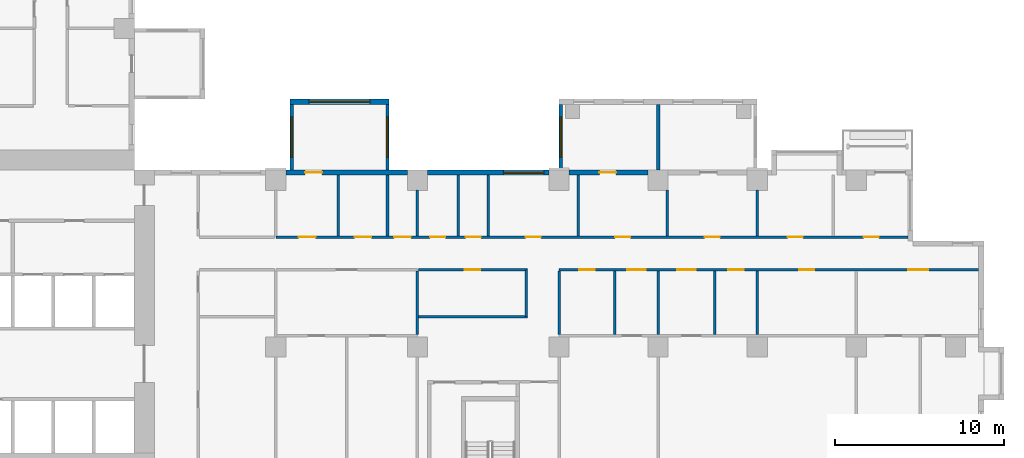
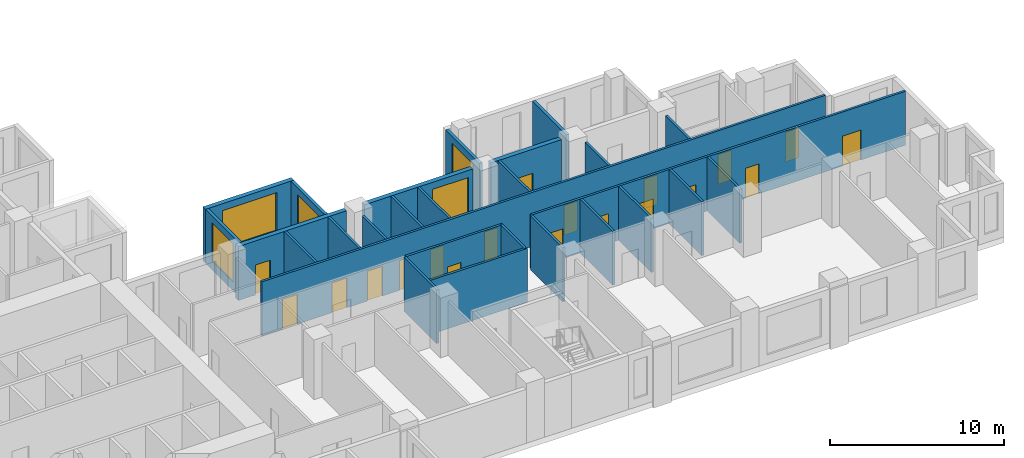
# One storey, part 5 of 15: 27 walls, 19 doors, 5 windows, 24 openings.
"""IFC4 building model written with IfcOpenShell, lengths in metres."""

from ifc_helpers import new_model, si_unit, direction, frame, frame_2d, origin, place, context, subcontext, project, spatial, rectangle, extrude, source, transform, mapped, material, layer, layer_set, type_object, element, fill, save


model = new_model("IFC4")

# Units and contexts
model_context = context("Model", 3, precision=1e-05, world=origin(), true_north=direction((0.0, 1.0)))
body_context = subcontext(model_context, "Body", "Model", "MODEL_VIEW")
ifc_project = project(units=[si_unit("LENGTHUNIT", "METRE"), si_unit("AREAUNIT", "SQUARE_METRE"), si_unit("VOLUMEUNIT", "CUBIC_METRE"), si_unit("PLANEANGLEUNIT", "RADIAN"), si_unit("MASSUNIT", "GRAM", prefix="KILO")], contexts=[model_context])

# Site, building, storey
site_placement = place(None, origin())
site = spatial("IfcSite", under=ifc_project, at=site_placement, CompositionType="ELEMENT")
building_placement = place(site_placement, origin())
building = spatial("IfcBuilding", under=site, at=building_placement, Name="Aurelian Terraces", CompositionType="ELEMENT")
storey_placement = place(building_placement, frame((0.0, 0.0, 65.7)))
storey = spatial("IfcBuildingStorey", under=building, at=storey_placement, Name="L13", CompositionType="ELEMENT", Elevation=65.7)

# Wall
ifc_material_1 = material(Name="Gypsum board on steel studs", Category="steel")
ifc_layer_1 = layer(ifc_material_1, 0.15)
ifc_layer_set_1 = layer_set([ifc_layer_1], Name="Partition 150")
wall_type_1 = type_object("IfcWallType", Name="Partition 150", PredefinedType="PARTITIONING", material=ifc_layer_set_1)
wall_1_placement = place(storey_placement, frame((44.25, 12.3, 0.0), z_axis=(0.0, 0.0, 1.0), x_axis=(0.0, 1.0, 0.0)))
element("IfcWall", 1, at=wall_1_placement, inside=storey, type_object=wall_type_1, Name="Partition", PredefinedType="PARTITIONING", context=body_context, shape_type="SweptSolid", body=[
    extrude(rectangle(XDim=2.775, YDim=0.15, at=frame_2d((1.3875, 0.0))), origin(), (0.0, 0.0, 1.0), 3.8),
])

# Wall, opening, window
ifc_material_2 = material(Name="Terracotta rainscreen cladding", Category="masonry")
ifc_layer_2 = layer(ifc_material_2, 0.3)
ifc_layer_set_2 = layer_set([ifc_layer_2], Name="EW-300")
wall_type_2 = type_object("IfcWallType", Name="EW-300", PredefinedType="STANDARD", material=ifc_layer_set_2)
shared_shape_1 = source(origin(), body_context, "Body", "SweptSolid", [
    extrude(rectangle(XDim=7.2, YDim=0.3, at=frame_2d((3.6, 0.0))), origin(), (0.0, 0.0, 1.0), 3.8),
])
wall_2_placement = place(storey_placement, frame((45.6, 20.85, 0.0), z_axis=(0.0, 0.0, 1.0), x_axis=(-1.0, 0.0, 0.0)))
wall_2 = element("IfcWall", 2, at=wall_2_placement, inside=storey, type_object=wall_type_2, Name="External wall L13 F07.23", PredefinedType="STANDARD", context=body_context, shape_type="MappedRepresentation", body=[
    mapped(shared_shape_1, transform((0.0, 0.0, 0.0), scale=1.0)),
])
shared_shape_2 = source(origin(), body_context, "Body", "SweptSolid", [
    extrude(rectangle(XDim=2.4, YDim=2.7, at=frame_2d((1.2, 1.35))), frame((0.0, 0.16, 0.0), z_axis=(0.0, -1.0, 0.0), x_axis=(1.0, 0.0, 0.0)), (0.0, 0.0, 1.0), 0.32),
])
opening_1_placement = place(wall_2_placement, frame((0.3, 0.0, 0.6)))
opening_1 = element("IfcOpeningElement", 3, at=opening_1_placement, cuts=wall_2, Name="Opening W2427", PredefinedType="OPENING", context=body_context, shape_type="MappedRepresentation", body=[
    mapped(shared_shape_2, transform((0.0, 0.0, 0.0), scale=1.0)),
])
ifc_material_3 = material(Name="Clear glazing", Category="glass")
window_type_1 = type_object("IfcWindowType", Name="W-2400x2700", PartitioningType="SINGLE_PANEL", PredefinedType="WINDOW", material=ifc_material_3)
shared_shape_3 = source(origin(), body_context, "Body", "SweptSolid", [
    extrude(rectangle(XDim=2.4, YDim=2.7, at=frame_2d((1.2, 1.35))), frame((0.0, 0.03, 0.0), z_axis=(0.0, -1.0, 0.0), x_axis=(1.0, 0.0, 0.0)), (0.0, 0.0, 1.0), 0.06),
])
window_1_placement = place(opening_1_placement, origin())
window_1 = element("IfcWindow", 4, at=window_1_placement, inside=storey, type_object=window_type_1, Name="Window L13 L13-F07-23-0", OverallHeight=2.7, OverallWidth=2.4, PartitioningType="SINGLE_PANEL", PredefinedType="WINDOW", context=body_context, shape_type="MappedRepresentation", body=[
    mapped(shared_shape_3, transform((0.0, 0.0, 0.0), scale=1.0)),
])
fill(opening_1, window_1)

# Wall, opening, door
wall_3_placement = place(storey_placement, frame((37.2, 20.85, 0.0), z_axis=(0.0, 0.0, 1.0), x_axis=(-1.0, 0.0, 0.0)))
wall_3 = element("IfcWall", 5, at=wall_3_placement, inside=storey, type_object=wall_type_2, Name="External wall L13 F07.23", PredefinedType="STANDARD", context=body_context, shape_type="MappedRepresentation", body=[
    mapped(shared_shape_1, transform((0.0, 0.0, 0.0), scale=1.0)),
])
shared_shape_4 = source(origin(), body_context, "Body", "SweptSolid", [
    extrude(rectangle(XDim=1.0, YDim=2.1, at=frame_2d((0.5, 1.05))), frame((0.0, 0.16, 0.0), z_axis=(0.0, -1.0, 0.0), x_axis=(1.0, 0.0, 0.0)), (0.0, 0.0, 1.0), 0.32),
])
opening_2_placement = place(wall_3_placement, frame((5.06, 0.0, 0.0)))
opening_2 = element("IfcOpeningElement", 6, at=opening_2_placement, cuts=wall_3, Name="Opening 813003", PredefinedType="OPENING", context=body_context, shape_type="MappedRepresentation", body=[
    mapped(shared_shape_4, transform((0.0, 0.0, 0.0), scale=1.0)),
])
ifc_material_4 = material(Name="Timber door leaf", Category="wood")
door_type_1 = type_object("IfcDoorType", Name="Room door 1000x2100 left", OperationType="SINGLE_SWING_LEFT", PredefinedType="DOOR", material=ifc_material_4)
shared_shape_5 = source(origin(), body_context, "Body", "SweptSolid", [
    extrude(rectangle(XDim=1.0, YDim=2.1, at=frame_2d((0.5, 1.05))), frame((0.0, 0.025, 0.0), z_axis=(0.0, -1.0, 0.0), x_axis=(1.0, 0.0, 0.0)), (0.0, 0.0, 1.0), 0.05),
])
door_1_placement = place(opening_2_placement, origin())
door_1 = element("IfcDoor", 7, at=door_1_placement, inside=storey, type_object=door_type_1, Name="Door 813003", OperationType="SINGLE_SWING_LEFT", OverallHeight=2.1, OverallWidth=1.0, PredefinedType="DOOR", context=body_context, shape_type="MappedRepresentation", body=[
    mapped(shared_shape_5, transform((0.0, 0.0, 0.0), scale=1.0)),
])
fill(opening_2, door_1)

shared_shape_6 = source(origin(), body_context, "Body", "SweptSolid", [
    extrude(rectangle(XDim=4.68, YDim=0.3, at=frame_2d((2.34, 0.0))), origin(), (0.0, 0.0, 1.0), 3.8),
])
wall_4_placement = place(storey_placement, frame((51.48, 20.85, 0.0), z_axis=(0.0, 0.0, 1.0), x_axis=(-1.0, 0.0, 0.0)))
wall_4 = element("IfcWall", 8, at=wall_4_placement, inside=storey, type_object=wall_type_2, Name="External wall L13 F07.22", PredefinedType="STANDARD", context=body_context, shape_type="MappedRepresentation", body=[
    mapped(shared_shape_6, transform((0.0, 0.0, 0.0), scale=1.0)),
])
opening_3_placement = place(wall_4_placement, frame((1.8867, 0.0, 0.0)))
opening_3 = element("IfcOpeningElement", 9, at=opening_3_placement, cuts=wall_4, Name="Opening 813006", PredefinedType="OPENING", context=body_context, shape_type="MappedRepresentation", body=[
    mapped(shared_shape_4, transform((0.0, 0.0, 0.0), scale=1.0)),
])
door_2_placement = place(opening_3_placement, origin())
door_2 = element("IfcDoor", 10, at=door_2_placement, inside=storey, type_object=door_type_1, Name="Door 813006", OperationType="SINGLE_SWING_LEFT", OverallHeight=2.1, OverallWidth=1.0, PredefinedType="DOOR", context=body_context, shape_type="MappedRepresentation", body=[
    mapped(shared_shape_5, transform((0.0, 0.0, 0.0), scale=1.0)),
])
fill(opening_3, door_2)

# Wall, opening, window
ifc_material_5 = material(Name="Concrete fc' 40 MPa", Category="concrete")
ifc_layer_3 = layer(ifc_material_5, 0.2)
ifc_layer_set_3 = layer_set([ifc_layer_3], Name="BOX BEARING WALL 200")
wall_type_3 = type_object("IfcWallType", Name="BOX BEARING WALL 200", PredefinedType="SOLIDWALL", material=ifc_layer_set_3)
shared_shape_7 = source(origin(), body_context, "Body", "SweptSolid", [
    extrude(rectangle(XDim=3.9, YDim=0.2, at=frame_2d((1.95, 0.0))), origin(), (0.0, 0.0, 1.0), 3.79),
])
wall_5_placement = place(storey_placement, frame((46.3, 21.0, 0.0), z_axis=(0.0, 0.0, 1.0), x_axis=(0.0, 1.0, 0.0)))
wall_5 = element("IfcWall", 11, at=wall_5_placement, inside=storey, type_object=wall_type_3, Name="Box return L13 K01.2", PredefinedType="SOLIDWALL", context=body_context, shape_type="MappedRepresentation", body=[
    mapped(shared_shape_7, transform((0.0, 0.0, 0.0), scale=1.0)),
])
shared_shape_8 = source(origin(), body_context, "Body", "SweptSolid", [
    extrude(rectangle(XDim=2.4, YDim=2.7, at=frame_2d((1.2, 1.35))), frame((0.0, 0.11, 0.0), z_axis=(0.0, -1.0, 0.0), x_axis=(1.0, 0.0, 0.0)), (0.0, 0.0, 1.0), 0.22),
])
opening_4_placement = place(wall_5_placement, frame((0.75, 0.0, 0.6)))
opening_4 = element("IfcOpeningElement", 12, at=opening_4_placement, cuts=wall_5, Name="Opening W2427", PredefinedType="OPENING", context=body_context, shape_type="MappedRepresentation", body=[
    mapped(shared_shape_8, transform((0.0, 0.0, 0.0), scale=1.0)),
])
window_2_placement = place(opening_4_placement, origin())
window_2 = element("IfcWindow", 13, at=window_2_placement, inside=storey, type_object=window_type_1, Name="Window L13 K01-S2", OverallHeight=2.7, OverallWidth=2.4, PartitioningType="SINGLE_PANEL", PredefinedType="WINDOW", context=body_context, shape_type="MappedRepresentation", body=[
    mapped(shared_shape_3, transform((0.0, 0.0, 0.0), scale=1.0)),
])
fill(opening_4, window_2)

wall_6_placement = place(storey_placement, frame((36.02, 21.0, 0.0), z_axis=(0.0, 0.0, 1.0), x_axis=(0.0, 1.0, 0.0)))
wall_6 = element("IfcWall", 14, at=wall_6_placement, inside=storey, type_object=wall_type_3, Name="Box return L13 J13.1", PredefinedType="SOLIDWALL", context=body_context, shape_type="MappedRepresentation", body=[
    mapped(shared_shape_7, transform((0.0, 0.0, 0.0), scale=1.0)),
])
opening_5_placement = place(wall_6_placement, frame((0.75, 0.0, 0.6)))
opening_5 = element("IfcOpeningElement", 15, at=opening_5_placement, cuts=wall_6, Name="Opening W2427", PredefinedType="OPENING", context=body_context, shape_type="MappedRepresentation", body=[
    mapped(shared_shape_8, transform((0.0, 0.0, 0.0), scale=1.0)),
])
window_3_placement = place(opening_5_placement, origin())
window_3 = element("IfcWindow", 16, at=window_3_placement, inside=storey, type_object=window_type_1, Name="Window L13 J13-S1", OverallHeight=2.7, OverallWidth=2.4, PartitioningType="SINGLE_PANEL", PredefinedType="WINDOW", context=body_context, shape_type="MappedRepresentation", body=[
    mapped(shared_shape_3, transform((0.0, 0.0, 0.0), scale=1.0)),
])
fill(opening_5, window_3)

wall_7_placement = place(storey_placement, frame((30.34, 21.0, 0.0), z_axis=(0.0, 0.0, 1.0), x_axis=(0.0, 1.0, 0.0)))
wall_7 = element("IfcWall", 17, at=wall_7_placement, inside=storey, type_object=wall_type_3, Name="Box return L13 J13.2", PredefinedType="SOLIDWALL", context=body_context, shape_type="MappedRepresentation", body=[
    mapped(shared_shape_7, transform((0.0, 0.0, 0.0), scale=1.0)),
])
opening_6_placement = place(wall_7_placement, frame((0.75, 0.0, 0.6)))
opening_6 = element("IfcOpeningElement", 18, at=opening_6_placement, cuts=wall_7, Name="Opening W2427", PredefinedType="OPENING", context=body_context, shape_type="MappedRepresentation", body=[
    mapped(shared_shape_8, transform((0.0, 0.0, 0.0), scale=1.0)),
])
window_4_placement = place(opening_6_placement, origin())
window_4 = element("IfcWindow", 19, at=window_4_placement, inside=storey, type_object=window_type_1, Name="Window L13 J13-S2", OverallHeight=2.7, OverallWidth=2.4, PartitioningType="SINGLE_PANEL", PredefinedType="WINDOW", context=body_context, shape_type="MappedRepresentation", body=[
    mapped(shared_shape_3, transform((0.0, 0.0, 0.0), scale=1.0)),
])
fill(opening_6, window_4)

ifc_layer_4 = layer(ifc_material_5, 0.3)
ifc_layer_set_4 = layer_set([ifc_layer_4], Name="BOX BEARING WALL 300")
wall_type_4 = type_object("IfcWallType", Name="BOX BEARING WALL 300", PredefinedType="SOLIDWALL", material=ifc_layer_set_4)
shared_shape_9 = source(origin(), body_context, "Body", "SweptSolid", [
    extrude(rectangle(XDim=5.88, YDim=0.3, at=frame_2d((2.94, 0.0))), origin(), (0.0, 0.0, 1.0), 3.79),
])
wall_8_placement = place(storey_placement, frame((36.12, 25.05, 0.0), z_axis=(0.0, 0.0, 1.0), x_axis=(-1.0, 0.0, 0.0)))
wall_8 = element("IfcWall", 20, at=wall_8_placement, inside=storey, type_object=wall_type_4, Name="Box wall L13 J13", PredefinedType="SOLIDWALL", context=body_context, shape_type="MappedRepresentation", body=[
    mapped(shared_shape_9, transform((0.0, 0.0, 0.0), scale=1.0)),
])
shared_shape_10 = source(origin(), body_context, "Body", "SweptSolid", [
    extrude(rectangle(XDim=3.6, YDim=2.7, at=frame_2d((1.8, 1.35))), frame((0.0, 0.16, 0.0), z_axis=(0.0, -1.0, 0.0), x_axis=(1.0, 0.0, 0.0)), (0.0, 0.0, 1.0), 0.32),
])
opening_7_placement = place(wall_8_placement, frame((1.14, 0.0, 0.6)))
opening_7 = element("IfcOpeningElement", 21, at=opening_7_placement, cuts=wall_8, Name="Opening W3627", PredefinedType="OPENING", context=body_context, shape_type="MappedRepresentation", body=[
    mapped(shared_shape_10, transform((0.0, 0.0, 0.0), scale=1.0)),
])
window_type_2 = type_object("IfcWindowType", Name="W-3600x2700", PartitioningType="SINGLE_PANEL", PredefinedType="WINDOW", material=ifc_material_3)
shared_shape_11 = source(origin(), body_context, "Body", "SweptSolid", [
    extrude(rectangle(XDim=3.6, YDim=2.7, at=frame_2d((1.8, 1.35))), frame((0.0, 0.03, 0.0), z_axis=(0.0, -1.0, 0.0), x_axis=(1.0, 0.0, 0.0)), (0.0, 0.0, 1.0), 0.06),
])
window_5_placement = place(opening_7_placement, origin())
window_5 = element("IfcWindow", 22, at=window_5_placement, inside=storey, type_object=window_type_2, Name="Window L13 J13-F1", OverallHeight=2.7, OverallWidth=3.6, PartitioningType="SINGLE_PANEL", PredefinedType="WINDOW", context=body_context, shape_type="MappedRepresentation", body=[
    mapped(shared_shape_11, transform((0.0, 0.0, 0.0), scale=1.0)),
])
fill(opening_7, window_5)

# Walls
shared_shape_12 = source(origin(), body_context, "Body", "SweptSolid", [
    extrude(rectangle(XDim=3.9, YDim=0.2, at=frame_2d((1.95, 0.0))), origin(), (0.0, 0.0, 1.0), 3.79),
])
wall_9_placement = place(storey_placement, frame((52.08, 21.0, 0.0), z_axis=(0.0, 0.0, 1.0), x_axis=(0.0, 1.0, 0.0)))
element("IfcWall", 23, at=wall_9_placement, inside=storey, type_object=wall_type_3, Name="Box partition L13 K01", PredefinedType="SOLIDWALL", context=body_context, shape_type="MappedRepresentation", body=[
    mapped(shared_shape_12, transform((0.0, 0.0, 0.0), scale=1.0)),
])
shared_shape_13 = source(origin(), body_context, "Body", "SweptSolid", [
    extrude(rectangle(XDim=6.45, YDim=0.15, at=frame_2d((3.225, 0.0))), origin(), (0.0, 0.0, 1.0), 3.8),
])
wall_10_placement = place(storey_placement, frame((37.875, 12.3, 0.0), z_axis=(0.0, 0.0, 1.0), x_axis=(1.0, 0.0, 0.0)))
element("IfcWall", 24, at=wall_10_placement, inside=storey, type_object=wall_type_1, Name="Partition", PredefinedType="PARTITIONING", context=body_context, shape_type="MappedRepresentation", body=[
    mapped(shared_shape_13, transform((0.0, 0.0, 0.0), scale=1.0)),
])

# Wall, opening, door
ifc_layer_5 = layer(ifc_material_1, 0.15)
ifc_layer_set_5 = layer_set([ifc_layer_5], Name="Fire partition 150")
wall_type_5 = type_object("IfcWallType", Name="Fire partition 150", PredefinedType="PARTITIONING", material=ifc_layer_set_5)
wall_11_placement = place(storey_placement, frame((44.325, 15.075, 0.0), z_axis=(0.0, 0.0, 1.0), x_axis=(-1.0, 0.0, 0.0)))
wall_11 = element("IfcWall", 25, at=wall_11_placement, inside=storey, type_object=wall_type_5, Name="Corridor wall", PredefinedType="PARTITIONING", context=body_context, shape_type="MappedRepresentation", body=[
    mapped(shared_shape_13, transform((0.0, 0.0, 0.0), scale=1.0)),
])
shared_shape_14 = source(origin(), body_context, "Body", "SweptSolid", [
    extrude(rectangle(XDim=0.9, YDim=2.1, at=frame_2d((0.45, 1.05))), frame((0.0, 0.085, 0.0), z_axis=(0.0, -1.0, 0.0), x_axis=(1.0, 0.0, 0.0)), (0.0, 0.0, 1.0), 0.17),
])
opening_8_placement = place(wall_11_placement, frame((2.8125, 0.0, 0.0)))
opening_8 = element("IfcOpeningElement", 26, at=opening_8_placement, cuts=wall_11, Name="Opening 713005", PredefinedType="OPENING", context=body_context, shape_type="MappedRepresentation", body=[
    mapped(shared_shape_14, transform((0.0, 0.0, 0.0), scale=1.0)),
])
door_type_2 = type_object("IfcDoorType", Name="Room door 900x2100 left", OperationType="SINGLE_SWING_LEFT", PredefinedType="DOOR", material=ifc_material_4)
shared_shape_15 = source(origin(), body_context, "Body", "SweptSolid", [
    extrude(rectangle(XDim=0.9, YDim=2.1, at=frame_2d((0.45, 1.05))), frame((0.0, 0.025, 0.0), z_axis=(0.0, -1.0, 0.0), x_axis=(1.0, 0.0, 0.0)), (0.0, 0.0, 1.0), 0.05),
])
door_3_placement = place(opening_8_placement, origin())
door_3 = element("IfcDoor", 27, at=door_3_placement, inside=storey, type_object=door_type_2, Name="Door 713005", OperationType="SINGLE_SWING_LEFT", OverallHeight=2.1, OverallWidth=0.9, PredefinedType="DOOR", context=body_context, shape_type="MappedRepresentation", body=[
    mapped(shared_shape_15, transform((0.0, 0.0, 0.0), scale=1.0)),
])
fill(opening_8, door_3)

# Walls
shared_shape_16 = source(origin(), body_context, "Body", "SweptSolid", [
    extrude(rectangle(XDim=3.75, YDim=0.15, at=frame_2d((1.875, 0.0))), origin(), (0.0, 0.0, 1.0), 3.8),
])
for number, where, z_axis, x_axis, name in (
    (28, (37.8, 11.25, 0.0), (0.0, 0.0, 1.0), (0.0, 1.0, 0.0), "Partition"),
    (29, (49.5116, 11.25, 0.0), (0.0, 0.0, 1.0), (0.0, 1.0, 0.0), "Partition"),
    (30, (55.4328, 11.25, 0.0), (0.0, 0.0, 1.0), (0.0, 1.0, 0.0), "Partition"),
    (31, (57.96, 11.25, 0.0), (0.0, 0.0, 1.0), (0.0, 1.0, 0.0), "Partition"),
    (32, (46.2, 11.25, 0.0), (0.0, 0.0, 1.0), (0.0, 1.0, 0.0), "Partition"),
    (33, (52.08, 11.25, 0.0), (0.0, 0.0, 1.0), (0.0, 1.0, 0.0), "Partition"),
):
    element("IfcWall", number, at=place(storey_placement, frame(where, z_axis=z_axis, x_axis=x_axis)), inside=storey, type_object=wall_type_1, Name=name, PredefinedType="PARTITIONING", context=body_context, shape_type="MappedRepresentation", body=[
        mapped(shared_shape_16, transform((0.0, 0.0, 0.0), scale=1.0)),
    ])
shared_shape_17 = source(origin(), body_context, "Body", "SweptSolid", [
    extrude(rectangle(XDim=3.6, YDim=0.15, at=frame_2d((1.8, 0.0))), origin(), (0.0, 0.0, 1.0), 3.8),
])
for number, where, z_axis, x_axis, name in (
    (34, (33.1133, 20.7, 0.0), (0.0, 0.0, 1.0), (0.0, -1.0, 0.0), "Partition"),
    (35, (36.024, 20.7, 0.0), (0.0, 0.0, 1.0), (0.0, -1.0, 0.0), "Partition"),
    (36, (40.2157, 20.7, 0.0), (0.0, 0.0, 1.0), (0.0, -1.0, 0.0), "Partition"),
    (37, (47.345, 20.7, 0.0), (0.0, 0.0, 1.0), (0.0, -1.0, 0.0), "Partition"),
    (38, (42.0, 17.1, 0.0), (0.0, 0.0, 1.0), (0.0, 1.0, 0.0), "Partition"),
):
    element("IfcWall", number, at=place(storey_placement, frame(where, z_axis=z_axis, x_axis=x_axis)), inside=storey, type_object=wall_type_1, Name=name, PredefinedType="PARTITIONING", context=body_context, shape_type="MappedRepresentation", body=[
        mapped(shared_shape_17, transform((0.0, 0.0, 0.0), scale=1.0)),
    ])
shared_shape_18 = source(origin(), body_context, "Body", "SweptSolid", [
    extrude(rectangle(XDim=2.701, YDim=0.15, at=frame_2d((1.3505, 0.0))), origin(), (0.0, 0.0, 1.0), 3.8),
])
for number, where, z_axis, x_axis, name in (
    (39, (52.615, 19.801, 0.0), (0.0, 0.0, 1.0), (0.0, -1.0, 0.0), "Partition"),
    (40, (37.8, 17.1, 0.0), (0.0, 0.0, 1.0), (0.0, 1.0, 0.0), "Partition"),
    (41, (57.96, 17.1, 0.0), (0.0, 0.0, 1.0), (0.0, 1.0, 0.0), "Partition"),
):
    element("IfcWall", number, at=place(storey_placement, frame(where, z_axis=z_axis, x_axis=x_axis)), inside=storey, type_object=wall_type_1, Name=name, PredefinedType="PARTITIONING", context=body_context, shape_type="MappedRepresentation", body=[
        mapped(shared_shape_18, transform((0.0, 0.0, 0.0), scale=1.0)),
    ])

# Wall, openings, doors
shared_shape_19 = source(origin(), body_context, "Body", "SweptSolid", [
    extrude(rectangle(XDim=24.9, YDim=0.15, at=frame_2d((12.45, 0.0))), origin(), (0.0, 0.0, 1.0), 3.8),
])
wall_12_placement = place(storey_placement, frame((71.1, 15.075, 0.0), z_axis=(0.0, 0.0, 1.0), x_axis=(-1.0, 0.0, 0.0)))
wall_12 = element("IfcWall", 42, at=wall_12_placement, inside=storey, type_object=wall_type_5, Name="Corridor wall", PredefinedType="PARTITIONING", context=body_context, shape_type="MappedRepresentation", body=[
    mapped(shared_shape_19, transform((0.0, 0.0, 0.0), scale=1.0)),
])
shared_shape_20 = source(origin(), body_context, "Body", "SweptSolid", [
    extrude(rectangle(XDim=1.1, YDim=2.1, at=frame_2d((0.55, 1.05))), frame((0.0, 0.085, 0.0), z_axis=(0.0, -1.0, 0.0), x_axis=(1.0, 0.0, 0.0)), (0.0, 0.0, 1.0), 0.17),
])
opening_9_placement = place(wall_12_placement, frame((19.7542, 0.0, 0.0)))
opening_9 = element("IfcOpeningElement", 43, at=opening_9_placement, cuts=wall_12, Name="Opening 713010", PredefinedType="OPENING", context=body_context, shape_type="MappedRepresentation", body=[
    mapped(shared_shape_20, transform((0.0, 0.0, 0.0), scale=1.0)),
])
opening_10_placement = place(wall_12_placement, frame((22.7942, 0.0, 0.0)))
opening_10 = element("IfcOpeningElement", 44, at=opening_10_placement, cuts=wall_12, Name="Opening 713012", PredefinedType="OPENING", context=body_context, shape_type="MappedRepresentation", body=[
    mapped(shared_shape_14, transform((0.0, 0.0, 0.0), scale=1.0)),
])
opening_11_placement = place(wall_12_placement, frame((16.7936, 0.0, 0.0)))
opening_11 = element("IfcOpeningElement", 45, at=opening_11_placement, cuts=wall_12, Name="Opening 713013", PredefinedType="OPENING", context=body_context, shape_type="MappedRepresentation", body=[
    mapped(shared_shape_20, transform((0.0, 0.0, 0.0), scale=1.0)),
])
opening_12_placement = place(wall_12_placement, frame((13.9536, 0.0, 0.0)))
opening_12 = element("IfcOpeningElement", 46, at=opening_12_placement, cuts=wall_12, Name="Opening 713015", PredefinedType="OPENING", context=body_context, shape_type="MappedRepresentation", body=[
    mapped(shared_shape_14, transform((0.0, 0.0, 0.0), scale=1.0)),
])
opening_13_placement = place(wall_12_placement, frame((9.75, 0.0, 0.0)))
opening_13 = element("IfcOpeningElement", 47, at=opening_13_placement, cuts=wall_12, Name="Opening 713016", PredefinedType="OPENING", context=body_context, shape_type="MappedRepresentation", body=[
    mapped(shared_shape_14, transform((0.0, 0.0, 0.0), scale=1.0)),
])
shared_shape_21 = source(origin(), body_context, "Body", "SweptSolid", [
    extrude(rectangle(XDim=1.2, YDim=2.1, at=frame_2d((0.6, 1.05))), frame((0.0, 0.085, 0.0), z_axis=(0.0, -1.0, 0.0), x_axis=(1.0, 0.0, 0.0)), (0.0, 0.0, 1.0), 0.17),
])
opening_14_placement = place(wall_12_placement, frame((2.9925, 0.0, 0.0)))
opening_14 = element("IfcOpeningElement", 48, at=opening_14_placement, cuts=wall_12, Name="Opening 713017", PredefinedType="OPENING", context=body_context, shape_type="MappedRepresentation", body=[
    mapped(shared_shape_21, transform((0.0, 0.0, 0.0), scale=1.0)),
])
door_type_3 = type_object("IfcDoorType", Name="Room door 900x2100 right", OperationType="SINGLE_SWING_RIGHT", PredefinedType="DOOR", material=ifc_material_4)
door_4_placement = place(opening_10_placement, origin())
door_4 = element("IfcDoor", 49, at=door_4_placement, inside=storey, type_object=door_type_3, Name="Door 713012", OperationType="SINGLE_SWING_RIGHT", OverallHeight=2.1, OverallWidth=0.9, PredefinedType="DOOR", context=body_context, shape_type="MappedRepresentation", body=[
    mapped(shared_shape_15, transform((0.0, 0.0, 0.0), scale=1.0)),
])
fill(opening_10, door_4)
door_5_placement = place(opening_12_placement, origin())
door_5 = element("IfcDoor", 50, at=door_5_placement, inside=storey, type_object=door_type_3, Name="Door 713015", OperationType="SINGLE_SWING_RIGHT", OverallHeight=2.1, OverallWidth=0.9, PredefinedType="DOOR", context=body_context, shape_type="MappedRepresentation", body=[
    mapped(shared_shape_15, transform((0.0, 0.0, 0.0), scale=1.0)),
])
fill(opening_12, door_5)
door_6_placement = place(opening_13_placement, origin())
door_6 = element("IfcDoor", 51, at=door_6_placement, inside=storey, type_object=door_type_2, Name="Door 713016", OperationType="SINGLE_SWING_LEFT", OverallHeight=2.1, OverallWidth=0.9, PredefinedType="DOOR", context=body_context, shape_type="MappedRepresentation", body=[
    mapped(shared_shape_15, transform((0.0, 0.0, 0.0), scale=1.0)),
])
fill(opening_13, door_6)
door_type_4 = type_object("IfcDoorType", Name="Room door 1100x2100 right", OperationType="SINGLE_SWING_RIGHT", PredefinedType="DOOR", material=ifc_material_4)
shared_shape_22 = source(origin(), body_context, "Body", "SweptSolid", [
    extrude(rectangle(XDim=1.1, YDim=2.1, at=frame_2d((0.55, 1.05))), frame((0.0, 0.025, 0.0), z_axis=(0.0, -1.0, 0.0), x_axis=(1.0, 0.0, 0.0)), (0.0, 0.0, 1.0), 0.05),
])
door_7_placement = place(opening_9_placement, origin())
door_7 = element("IfcDoor", 52, at=door_7_placement, inside=storey, type_object=door_type_4, Name="Door 713010", OperationType="SINGLE_SWING_RIGHT", OverallHeight=2.1, OverallWidth=1.1, PredefinedType="DOOR", context=body_context, shape_type="MappedRepresentation", body=[
    mapped(shared_shape_22, transform((0.0, 0.0, 0.0), scale=1.0)),
])
fill(opening_9, door_7)
door_8_placement = place(opening_11_placement, origin())
door_8 = element("IfcDoor", 53, at=door_8_placement, inside=storey, type_object=door_type_4, Name="Door 713013", OperationType="SINGLE_SWING_RIGHT", OverallHeight=2.1, OverallWidth=1.1, PredefinedType="DOOR", context=body_context, shape_type="MappedRepresentation", body=[
    mapped(shared_shape_22, transform((0.0, 0.0, 0.0), scale=1.0)),
])
fill(opening_11, door_8)
door_type_5 = type_object("IfcDoorType", Name="Room door 1200x2100 right", OperationType="SINGLE_SWING_RIGHT", PredefinedType="DOOR", material=ifc_material_4)
shared_shape_23 = source(origin(), body_context, "Body", "SweptSolid", [
    extrude(rectangle(XDim=1.2, YDim=2.1, at=frame_2d((0.6, 1.05))), frame((0.0, 0.025, 0.0), z_axis=(0.0, -1.0, 0.0), x_axis=(1.0, 0.0, 0.0)), (0.0, 0.0, 1.0), 0.05),
])
door_9_placement = place(opening_14_placement, origin())
door_9 = element("IfcDoor", 54, at=door_9_placement, inside=storey, type_object=door_type_5, Name="Door 713017", OperationType="SINGLE_SWING_RIGHT", OverallHeight=2.1, OverallWidth=1.2, PredefinedType="DOOR", context=body_context, shape_type="MappedRepresentation", body=[
    mapped(shared_shape_23, transform((0.0, 0.0, 0.0), scale=1.0)),
])
fill(opening_14, door_9)

shared_shape_24 = source(origin(), body_context, "Body", "SweptSolid", [
    extrude(rectangle(XDim=37.5, YDim=0.15, at=frame_2d((18.75, 0.0))), origin(), (0.0, 0.0, 1.0), 3.8),
])
wall_13_placement = place(storey_placement, frame((29.4, 17.025, 0.0), z_axis=(0.0, 0.0, 1.0), x_axis=(1.0, 0.0, 0.0)))
wall_13 = element("IfcWall", 55, at=wall_13_placement, inside=storey, type_object=wall_type_5, Name="Corridor wall", PredefinedType="PARTITIONING", context=body_context, shape_type="MappedRepresentation", body=[
    mapped(shared_shape_24, transform((0.0, 0.0, 0.0), scale=1.0)),
])
shared_shape_25 = source(origin(), body_context, "Body", "SweptSolid", [
    extrude(rectangle(XDim=1.0, YDim=2.1, at=frame_2d((0.5, 1.05))), frame((0.0, 0.085, 0.0), z_axis=(0.0, -1.0, 0.0), x_axis=(1.0, 0.0, 0.0)), (0.0, 0.0, 1.0), 0.17),
])
opening_15_placement = place(wall_13_placement, frame((1.3567, 0.0, 0.0)))
opening_15 = element("IfcOpeningElement", 56, at=opening_15_placement, cuts=wall_13, Name="Opening 713020", PredefinedType="OPENING", context=body_context, shape_type="MappedRepresentation", body=[
    mapped(shared_shape_25, transform((0.0, 0.0, 0.0), scale=1.0)),
])
opening_16_placement = place(wall_13_placement, frame((4.6686, 0.0, 0.0)))
opening_16 = element("IfcOpeningElement", 57, at=opening_16_placement, cuts=wall_13, Name="Opening 713021", PredefinedType="OPENING", context=body_context, shape_type="MappedRepresentation", body=[
    mapped(shared_shape_25, transform((0.0, 0.0, 0.0), scale=1.0)),
])
opening_17_placement = place(wall_13_placement, frame((7.012, 0.0, 0.0)))
opening_17 = element("IfcOpeningElement", 58, at=opening_17_placement, cuts=wall_13, Name="Opening 713022", PredefinedType="OPENING", context=body_context, shape_type="MappedRepresentation", body=[
    mapped(shared_shape_25, transform((0.0, 0.0, 0.0), scale=1.0)),
])
opening_18_placement = place(wall_13_placement, frame((9.1578, 0.0, 0.0)))
opening_18 = element("IfcOpeningElement", 59, at=opening_18_placement, cuts=wall_13, Name="Opening 713023", PredefinedType="OPENING", context=body_context, shape_type="MappedRepresentation", body=[
    mapped(shared_shape_14, transform((0.0, 0.0, 0.0), scale=1.0)),
])
opening_19_placement = place(wall_13_placement, frame((11.2578, 0.0, 0.0)))
opening_19 = element("IfcOpeningElement", 60, at=opening_19_placement, cuts=wall_13, Name="Opening 713024", PredefinedType="OPENING", context=body_context, shape_type="MappedRepresentation", body=[
    mapped(shared_shape_14, transform((0.0, 0.0, 0.0), scale=1.0)),
])
opening_20_placement = place(wall_13_placement, frame((14.8225, 0.0, 0.0)))
opening_20 = element("IfcOpeningElement", 61, at=opening_20_placement, cuts=wall_13, Name="Opening 713025", PredefinedType="OPENING", context=body_context, shape_type="MappedRepresentation", body=[
    mapped(shared_shape_14, transform((0.0, 0.0, 0.0), scale=1.0)),
])
opening_21_placement = place(wall_13_placement, frame((20.13, 0.0, 0.0)))
opening_21 = element("IfcOpeningElement", 62, at=opening_21_placement, cuts=wall_13, Name="Opening 713026", PredefinedType="OPENING", context=body_context, shape_type="MappedRepresentation", body=[
    mapped(shared_shape_14, transform((0.0, 0.0, 0.0), scale=1.0)),
])
opening_22_placement = place(wall_13_placement, frame((25.4375, 0.0, 0.0)))
opening_22 = element("IfcOpeningElement", 63, at=opening_22_placement, cuts=wall_13, Name="Opening 713027", PredefinedType="OPENING", context=body_context, shape_type="MappedRepresentation", body=[
    mapped(shared_shape_14, transform((0.0, 0.0, 0.0), scale=1.0)),
])
opening_23_placement = place(wall_13_placement, frame((30.3638, 0.0, 0.0)))
opening_23 = element("IfcOpeningElement", 64, at=opening_23_placement, cuts=wall_13, Name="Opening 713028", PredefinedType="OPENING", context=body_context, shape_type="MappedRepresentation", body=[
    mapped(shared_shape_14, transform((0.0, 0.0, 0.0), scale=1.0)),
])
opening_24_placement = place(wall_13_placement, frame((34.8713, 0.0, 0.0)))
opening_24 = element("IfcOpeningElement", 65, at=opening_24_placement, cuts=wall_13, Name="Opening 713029", PredefinedType="OPENING", context=body_context, shape_type="MappedRepresentation", body=[
    mapped(shared_shape_14, transform((0.0, 0.0, 0.0), scale=1.0)),
])
door_type_6 = type_object("IfcDoorType", Name="Room door 1000x2100 right", OperationType="SINGLE_SWING_RIGHT", PredefinedType="DOOR", material=ifc_material_4)
door_10_placement = place(opening_15_placement, origin())
door_10 = element("IfcDoor", 66, at=door_10_placement, inside=storey, type_object=door_type_6, Name="Door 713020", OperationType="SINGLE_SWING_RIGHT", OverallHeight=2.1, OverallWidth=1.0, PredefinedType="DOOR", context=body_context, shape_type="MappedRepresentation", body=[
    mapped(shared_shape_5, transform((0.0, 0.0, 0.0), scale=1.0)),
])
fill(opening_15, door_10)
door_11_placement = place(opening_16_placement, origin())
door_11 = element("IfcDoor", 67, at=door_11_placement, inside=storey, type_object=door_type_1, Name="Door 713021", OperationType="SINGLE_SWING_LEFT", OverallHeight=2.1, OverallWidth=1.0, PredefinedType="DOOR", context=body_context, shape_type="MappedRepresentation", body=[
    mapped(shared_shape_5, transform((0.0, 0.0, 0.0), scale=1.0)),
])
fill(opening_16, door_11)
door_12_placement = place(opening_17_placement, origin())
door_12 = element("IfcDoor", 68, at=door_12_placement, inside=storey, type_object=door_type_6, Name="Door 713022", OperationType="SINGLE_SWING_RIGHT", OverallHeight=2.1, OverallWidth=1.0, PredefinedType="DOOR", context=body_context, shape_type="MappedRepresentation", body=[
    mapped(shared_shape_5, transform((0.0, 0.0, 0.0), scale=1.0)),
])
fill(opening_17, door_12)
door_13_placement = place(opening_18_placement, origin())
door_13 = element("IfcDoor", 69, at=door_13_placement, inside=storey, type_object=door_type_3, Name="Door 713023", OperationType="SINGLE_SWING_RIGHT", OverallHeight=2.1, OverallWidth=0.9, PredefinedType="DOOR", context=body_context, shape_type="MappedRepresentation", body=[
    mapped(shared_shape_15, transform((0.0, 0.0, 0.0), scale=1.0)),
])
fill(opening_18, door_13)
door_14_placement = place(opening_19_placement, origin())
door_14 = element("IfcDoor", 70, at=door_14_placement, inside=storey, type_object=door_type_2, Name="Door 713024", OperationType="SINGLE_SWING_LEFT", OverallHeight=2.1, OverallWidth=0.9, PredefinedType="DOOR", context=body_context, shape_type="MappedRepresentation", body=[
    mapped(shared_shape_15, transform((0.0, 0.0, 0.0), scale=1.0)),
])
fill(opening_19, door_14)
door_15_placement = place(opening_20_placement, origin())
door_15 = element("IfcDoor", 71, at=door_15_placement, inside=storey, type_object=door_type_3, Name="Door 713025", OperationType="SINGLE_SWING_RIGHT", OverallHeight=2.1, OverallWidth=0.9, PredefinedType="DOOR", context=body_context, shape_type="MappedRepresentation", body=[
    mapped(shared_shape_15, transform((0.0, 0.0, 0.0), scale=1.0)),
])
fill(opening_20, door_15)
door_16_placement = place(opening_21_placement, origin())
door_16 = element("IfcDoor", 72, at=door_16_placement, inside=storey, type_object=door_type_2, Name="Door 713026", OperationType="SINGLE_SWING_LEFT", OverallHeight=2.1, OverallWidth=0.9, PredefinedType="DOOR", context=body_context, shape_type="MappedRepresentation", body=[
    mapped(shared_shape_15, transform((0.0, 0.0, 0.0), scale=1.0)),
])
fill(opening_21, door_16)
door_17_placement = place(opening_22_placement, origin())
door_17 = element("IfcDoor", 73, at=door_17_placement, inside=storey, type_object=door_type_3, Name="Door 713027", OperationType="SINGLE_SWING_RIGHT", OverallHeight=2.1, OverallWidth=0.9, PredefinedType="DOOR", context=body_context, shape_type="MappedRepresentation", body=[
    mapped(shared_shape_15, transform((0.0, 0.0, 0.0), scale=1.0)),
])
fill(opening_22, door_17)
door_18_placement = place(opening_23_placement, origin())
door_18 = element("IfcDoor", 74, at=door_18_placement, inside=storey, type_object=door_type_3, Name="Door 713028", OperationType="SINGLE_SWING_RIGHT", OverallHeight=2.1, OverallWidth=0.9, PredefinedType="DOOR", context=body_context, shape_type="MappedRepresentation", body=[
    mapped(shared_shape_15, transform((0.0, 0.0, 0.0), scale=1.0)),
])
fill(opening_23, door_18)
door_19_placement = place(opening_24_placement, origin())
door_19 = element("IfcDoor", 75, at=door_19_placement, inside=storey, type_object=door_type_2, Name="Door 713029", OperationType="SINGLE_SWING_LEFT", OverallHeight=2.1, OverallWidth=0.9, PredefinedType="DOOR", context=body_context, shape_type="MappedRepresentation", body=[
    mapped(shared_shape_15, transform((0.0, 0.0, 0.0), scale=1.0)),
])
fill(opening_24, door_19)

save(model, "model.ifc")
